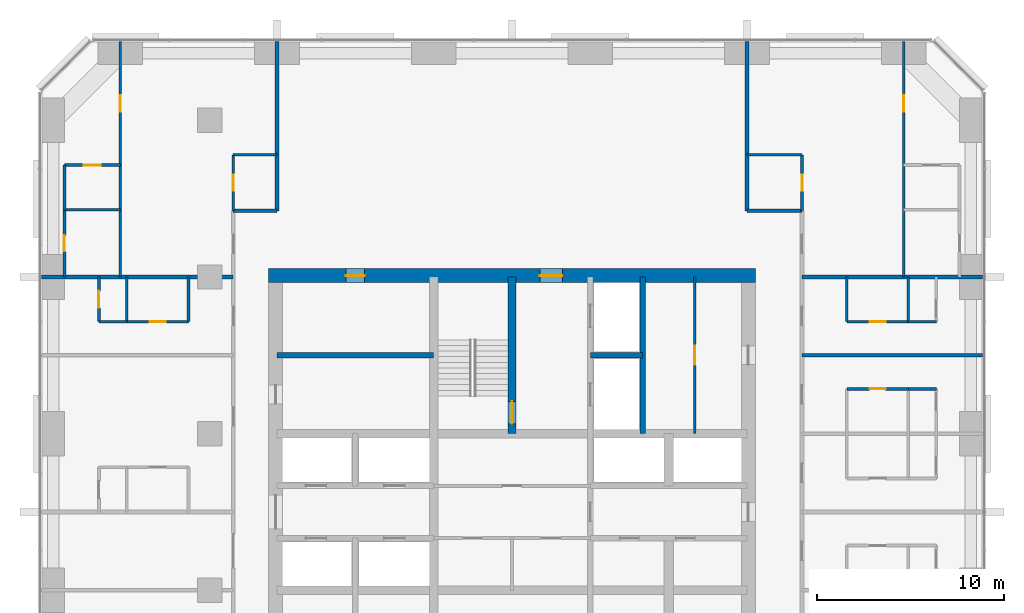
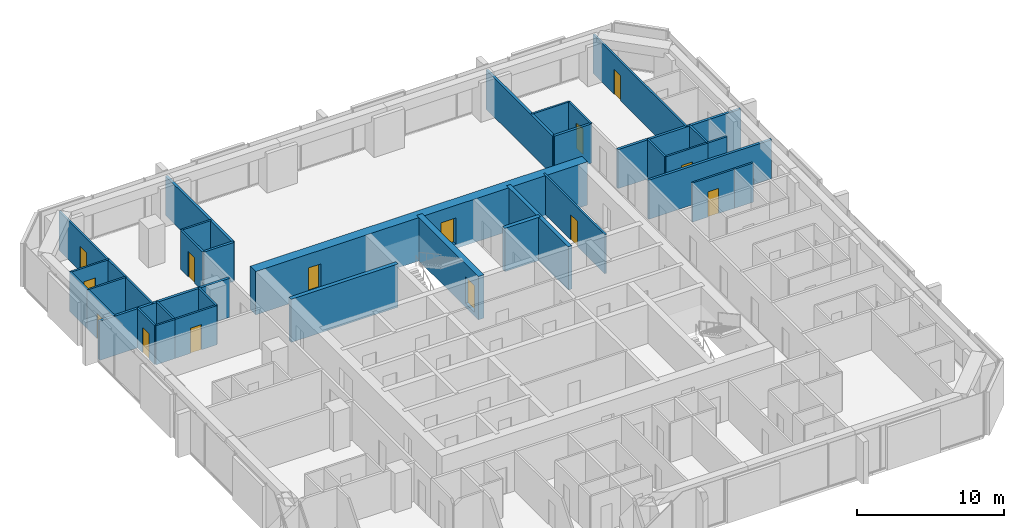
# One storey, part 12 of 14: 34 walls, 14 doors, 14 openings.
"""IFC4 building model written with IfcOpenShell, lengths in metres."""

import ifcopenshell
import ifcopenshell.guid

model = None  # the IFC model being written
_history = None  # IfcOwnerHistory: only IFC2X3 demands one
_inside = {}  # id of a spatial element -> (the spatial element, [elements in it])
_under = {}  # id of a project, library or spatial element -> (it, [spatial elements below it])
_declared = {}  # id of a project -> (the project, [libraries it declares])
_typed = {}  # id of a type object -> (the type object, [elements of that type])
_made_of = {}  # id of a material, layer set ... -> (it, [elements and type objects made of it])


def new_model(schema):
    """Start an empty IFC model of exactly this schema.

    Asked for "IFC4X3", IfcOpenShell would pick the latest addendum, in which some entities
    have other attributes; the version numbers below select the first issue.
    IFC2X3 requires an IfcOwnerHistory on every rooted entity: one is made here for all.
    """
    global model, _history
    if schema == "IFC4X3":
        model = ifcopenshell.file(schema_version=(4, 3, 0, 0))
    else:
        model = ifcopenshell.file(schema=schema)
    _inside.clear()
    _under.clear()
    _declared.clear()
    _typed.clear()
    _made_of.clear()
    _history = None
    if model.schema == "IFC2X3":
        org = make("IfcOrganization", Name="unknown")
        user = make(
            "IfcPersonAndOrganization",
            ThePerson=make("IfcPerson", FamilyName="unknown"),
            TheOrganization=org,
        )
        app = make(
            "IfcApplication",
            ApplicationDeveloper=org,
            Version="unknown",
            ApplicationFullName="unknown",
            ApplicationIdentifier="unknown",
        )
        _history = make(
            "IfcOwnerHistory",
            OwningUser=user,
            OwningApplication=app,
            ChangeAction="ADDED",
            CreationDate=0,
        )
    return model


def make(cls, **values):
    """One entity of the class cls with the attributes given. An attribute that is None is left unset."""
    return model.create_entity(
        cls, **{name: value for name, value in values.items() if value is not None}
    )


def rooted(cls, **values):
    """An entity with a GlobalId (a new one), such as an element, a storey or a relation."""
    return make(cls, GlobalId=ifcopenshell.guid.new(), OwnerHistory=_history, **values)


def si_unit(unit_type, name, prefix=None):
    """IfcSIUnit, for example si_unit("LENGTHUNIT", "METRE", prefix="MILLI")."""
    return make("IfcSIUnit", UnitType=unit_type, Prefix=prefix, Name=name)


def assignment(units):
    """IfcUnitAssignment: the units of a project."""
    return None if units is None else make("IfcUnitAssignment", Units=units)


def point(xyz):
    """IfcCartesianPoint."""
    return None if xyz is None else make("IfcCartesianPoint", Coordinates=xyz)


def direction(xyz):
    """IfcDirection."""
    return None if xyz is None else make("IfcDirection", DirectionRatios=xyz)


def frame(location, z_axis=None, x_axis=None):
    """IfcAxis2Placement3D, a coordinate frame: its origin and axes. An axis left out is left unset."""
    return make(
        "IfcAxis2Placement3D",
        Location=point(location),
        Axis=direction(z_axis),
        RefDirection=direction(x_axis),
    )


def frame_2d(location, x_axis=None):
    """IfcAxis2Placement2D, a coordinate frame in the plane: its origin and x axis."""
    return make(
        "IfcAxis2Placement2D", Location=point(location), RefDirection=direction(x_axis)
    )


def origin():
    """The frame at (0, 0, 0) with its axes left unset."""
    return frame((0.0, 0.0, 0.0))


def place(relative_to, where):
    """IfcLocalPlacement: puts the frame where relative to a parent placement (None: the world)."""
    return make(
        "IfcLocalPlacement", PlacementRelTo=relative_to, RelativePlacement=where
    )


def context(
    kind, dimensions, precision=None, world=None, true_north=None, identifier=None
):
    """IfcGeometricRepresentationContext, for example the 3D "Model" context."""
    return make(
        "IfcGeometricRepresentationContext",
        ContextIdentifier=identifier,
        ContextType=kind,
        CoordinateSpaceDimension=dimensions,
        Precision=precision,
        WorldCoordinateSystem=world,
        TrueNorth=true_north,
    )


def subcontext(parent, identifier, kind, view, scale=None):
    """IfcGeometricRepresentationSubContext, for example "Body" below "Model"."""
    return make(
        "IfcGeometricRepresentationSubContext",
        ContextIdentifier=identifier,
        ContextType=kind,
        ParentContext=parent,
        TargetScale=scale,
        TargetView=view,
    )


def project(units=None, contexts=None):
    """IfcProject with its units and contexts."""
    return rooted(
        "IfcProject",
        Name="project",
        RepresentationContexts=contexts,
        UnitsInContext=assignment(units),
    )


def spatial(cls, under=None, at=None, **own):
    """A site, building, storey or space (cls), placed at a placement, below another one or the project."""
    s = rooted(cls, ObjectPlacement=at, **own)
    if under is not None:
        _under.setdefault(under.id(), (under, []))[1].append(s)
    return s


def profile(cls, at=None, kind="AREA", **sizes):
    """A parametric profile (cls). Its sizes go by their IFC names, for example OverallWidth=200.0."""
    return make(cls, ProfileType=kind, Position=at, **sizes)


def rectangle(**sizes):
    """IfcRectangleProfileDef."""
    return profile("IfcRectangleProfileDef", **sizes)


def extrude(swept, where, along, depth):
    """IfcExtrudedAreaSolid: the profile swept, set in the frame where, extruded along a direction by depth."""
    return make(
        "IfcExtrudedAreaSolid",
        SweptArea=swept,
        Position=where,
        ExtrudedDirection=direction(along),
        Depth=depth,
    )


def shape(context_of_items, identifier, shape_type, items):
    """IfcShapeRepresentation: the items that make up one representation, for example the "Body"."""
    return make(
        "IfcShapeRepresentation",
        ContextOfItems=context_of_items,
        RepresentationIdentifier=identifier,
        RepresentationType=shape_type,
        Items=items,
    )


def material(Name=None, Category=None):
    """IfcMaterial."""
    return make("IfcMaterial", Name=Name, Category=Category)


def layer(
    of_material, thickness, ventilated=None, Name=None, Category=None, Priority=None
):
    """IfcMaterialLayer: one layer of a wall or slab, of a material (None: an air gap)."""
    return make(
        "IfcMaterialLayer",
        Material=of_material,
        LayerThickness=thickness,
        IsVentilated=ventilated,
        Name=Name,
        Category=Category,
        Priority=Priority,
    )


def layer_set(layers, Name=None):
    """IfcMaterialLayerSet."""
    return make("IfcMaterialLayerSet", MaterialLayers=layers, LayerSetName=Name)


def made_of(thing, what):
    """Note that an element or type object is made of a material, layer set ...; save() writes the relation."""
    if what is not None:
        _made_of.setdefault(what.id(), (what, []))[1].append(thing)
    return thing


def type_object(cls, material=None, **own):
    """A type object (cls), such as IfcWallType, which elements share."""
    return made_of(rooted(cls, **own), material)


def element(
    cls,
    number,
    at=None,
    inside=None,
    cuts=None,
    type_object=None,
    material=None,
    context=None,
    identifier="Body",
    shape_type=None,
    held_by="IfcProductDefinitionShape",
    body=None,
    shapes=None,
    **own,
):
    """One element of the class cls, such as IfcWall. Its Tag is "e" and its number.

    at: its placement. inside: the storey or other place that contains it. cuts: it is an
    opening in that element (IfcRelVoidsElement). A single representation is given by context,
    identifier, shape_type and body (its items); several are given by shapes. held_by: the class
    of the entity that holds the representations. save() writes the other relations.
    """
    e = rooted(cls, Tag="e%d" % number, ObjectPlacement=at, **own)
    if body is not None:
        shapes = [shape(context, identifier, shape_type, body)]
    if shapes is not None:
        e.Representation = make(held_by, Representations=shapes)
    if inside is not None:
        _inside.setdefault(inside.id(), (inside, []))[1].append(e)
    if cuts is not None:
        rooted(
            "IfcRelVoidsElement", RelatingBuildingElement=cuts, RelatedOpeningElement=e
        )
    if type_object is not None:
        _typed.setdefault(type_object.id(), (type_object, []))[1].append(e)
    return made_of(e, material)


def fill(opening, filler):
    """IfcRelFillsElement: the door or window that sits in an opening."""
    return rooted(
        "IfcRelFillsElement",
        RelatingOpeningElement=opening,
        RelatedBuildingElement=filler,
    )


def aggregate(whole, parts):
    """IfcRelAggregates: a whole, such as a stair, and the parts it consists of."""
    return rooted("IfcRelAggregates", RelatingObject=whole, RelatedObjects=parts)


def save(model, path):
    """Write the relations noted so far, then the file.

    IfcRelAggregates (storeys below a building ...), IfcRelContainedInSpatialStructure (elements
    in a storey), IfcRelDefinesByType, IfcRelAssociatesMaterial and IfcRelDeclares: one each for
    every whole, place, type object, material and project.
    """
    for whole, parts in _under.values():
        aggregate(whole, parts)
    for where, things in _inside.values():
        rooted(
            "IfcRelContainedInSpatialStructure",
            RelatedElements=things,
            RelatingStructure=where,
        )
    for kind, things in _typed.values():
        rooted("IfcRelDefinesByType", RelatedObjects=things, RelatingType=kind)
    for what, things in _made_of.values():
        rooted("IfcRelAssociatesMaterial", RelatedObjects=things, RelatingMaterial=what)
    for by, libraries in _declared.values():
        rooted("IfcRelDeclares", RelatingContext=by, RelatedDefinitions=libraries)
    model.write(path)


model = new_model("IFC4")

# Units and contexts
model_context = context("Model", 3, precision=1e-05, world=origin(), true_north=direction((0.0, 1.0)))
body_context = subcontext(model_context, "Body", "Model", "MODEL_VIEW")
ifc_project = project(units=[si_unit("LENGTHUNIT", "METRE"), si_unit("AREAUNIT", "SQUARE_METRE"), si_unit("VOLUMEUNIT", "CUBIC_METRE"), si_unit("PLANEANGLEUNIT", "RADIAN"), si_unit("MASSUNIT", "GRAM", prefix="KILO")], contexts=[model_context])

# Site, building, storey
site_placement = place(None, origin())
site = spatial("IfcSite", under=ifc_project, at=site_placement, CompositionType="ELEMENT")
building_placement = place(site_placement, origin())
building = spatial("IfcBuilding", under=site, at=building_placement, Name="Dunama Terrace Hotel", CompositionType="ELEMENT")
storey_placement = place(building_placement, frame((0.0, 0.0, 177.0)))
storey = spatial("IfcBuildingStorey", under=building, at=storey_placement, Name="L45", CompositionType="ELEMENT", Elevation=177.0)

# Wall, opening, door
ifc_material_1 = material(Name="Gypsum board partition", Category="masonry")
ifc_layer_1 = layer(ifc_material_1, 0.14990234375)
ifc_layer_set_1 = layer_set([ifc_layer_1], Name="Bathroom partition 150")
wall_type_1 = type_object("IfcWallType", Name="Bathroom partition 150", PredefinedType="PARTITIONING", material=ifc_layer_set_1)
wall_1_placement = place(storey_placement, frame((5.39990234375, 42.0, 0.0), z_axis=(0.0, 0.0, 1.0), x_axis=(0.0, 1.0, 0.0)))
wall_1 = element("IfcWall", 1, at=wall_1_placement, inside=storey, type_object=wall_type_1, Name="Bathroom partition 150 L45", PredefinedType="PARTITIONING", context=body_context, shape_type="SweptSolid", body=[
    extrude(rectangle(XDim=3.60009765625, YDim=0.14990234375, at=frame_2d((1.800048828125, 0.0))), origin(), (0.0, 0.0, 1.0), 3.25),
])
opening_1_placement = place(wall_1_placement, frame((1.375, 0.0, 0.0)))
opening_1 = element("IfcOpeningElement", 2, at=opening_1_placement, cuts=wall_1, Name="Opening L45-070", PredefinedType="OPENING", context=body_context, shape_type="SweptSolid", body=[
    extrude(rectangle(XDim=0.85009765625, YDim=2.10009765625, at=frame_2d((0.425048828125, 1.050048828125))), frame((0.0, 0.0849609375, 0.0), z_axis=(0.0, -1.0, 0.0), x_axis=(1.0, 0.0, 0.0)), (0.0, 0.0, 1.0), 0.169921875),
])
ifc_material_2 = material(Name="Timber door with steel frame", Category="steel")
door_type_1 = type_object("IfcDoorType", Name="Bathroom door 850", OperationType="SINGLE_SWING_LEFT", PredefinedType="DOOR", material=ifc_material_2)
door_1_placement = place(opening_1_placement, frame((0.85009765625, 0.0, 0.0), z_axis=(0.0, 0.0, 1.0), x_axis=(-1.0, 0.0, 0.0)))
door_1 = element("IfcDoor", 3, at=door_1_placement, inside=storey, type_object=door_type_1, Name="Door to en-suite bathroom L45-070, type D2", OperationType="SINGLE_SWING_RIGHT", OverallHeight=2.10009765625, OverallWidth=0.85009765625, PredefinedType="DOOR", context=body_context, shape_type="SweptSolid", body=[
    extrude(rectangle(XDim=0.85009765625, YDim=2.10009765625, at=frame_2d((0.425048828125, 1.050048828125))), frame((0.0, 0.025146484375, 0.0), z_axis=(0.0, -1.0, 0.0), x_axis=(1.0, 0.0, 0.0)), (0.0, 0.0, 1.0), 0.050048828125),
])
fill(opening_1, door_1)

# Wall
wall_2_placement = place(storey_placement, frame((12.050048828125, 39.60009765625, 0.0), z_axis=(0.0, 0.0, 1.0), x_axis=(0.0, 1.0, 0.0)))
element("IfcWall", 4, at=wall_2_placement, inside=storey, type_object=wall_type_1, Name="Bathroom partition 150 L45", PredefinedType="PARTITIONING", context=body_context, shape_type="SweptSolid", body=[
    extrude(rectangle(XDim=2.39990234375, YDim=0.14990234375, at=frame_2d((1.199951171875, 0.0))), origin(), (0.0, 0.0, 1.0), 3.25),
])

# Wall, opening, door
wall_3_placement = place(storey_placement, frame((14.449951171875, 45.550048828125, 0.0), z_axis=(0.0, 0.0, 1.0), x_axis=(0.0, 1.0, 0.0)))
wall_3 = element("IfcWall", 5, at=wall_3_placement, inside=storey, type_object=wall_type_1, Name="Bathroom partition 150 L45", PredefinedType="PARTITIONING", context=body_context, shape_type="SweptSolid", body=[
    extrude(rectangle(XDim=3.0, YDim=0.14990234375, at=frame_2d((1.5, 0.0))), origin(), (0.0, 0.0, 1.0), 3.25),
])
opening_2_placement = place(wall_3_placement, frame((1.074951171875, 0.0, 0.0)))
opening_2 = element("IfcOpeningElement", 6, at=opening_2_placement, cuts=wall_3, Name="Opening L45-068", PredefinedType="OPENING", context=body_context, shape_type="SweptSolid", body=[
    extrude(rectangle(XDim=0.85009765625, YDim=2.10009765625, at=frame_2d((0.425048828125, 1.050048828125))), frame((0.0, 0.0849609375, 0.0), z_axis=(0.0, -1.0, 0.0), x_axis=(1.0, 0.0, 0.0)), (0.0, 0.0, 1.0), 0.169921875),
])
door_2_placement = place(opening_2_placement, frame((0.85009765625, 0.0, 0.0), z_axis=(0.0, 0.0, 1.0), x_axis=(-1.0, 0.0, 0.0)))
door_2 = element("IfcDoor", 7, at=door_2_placement, inside=storey, type_object=door_type_1, Name="Door to powder room L45-068, type D2", OperationType="SINGLE_SWING_RIGHT", OverallHeight=2.10009765625, OverallWidth=0.85009765625, PredefinedType="DOOR", context=body_context, shape_type="SweptSolid", body=[
    extrude(rectangle(XDim=0.85009765625, YDim=2.10009765625, at=frame_2d((0.425048828125, 1.050048828125))), frame((0.0, 0.025146484375, 0.0), z_axis=(0.0, -1.0, 0.0), x_axis=(1.0, 0.0, 0.0)), (0.0, 0.0, 1.0), 0.050048828125),
])
fill(opening_2, door_2)

wall_4_placement = place(storey_placement, frame((44.949951171875, 45.550048828125, 0.0), z_axis=(0.0, 0.0, 1.0), x_axis=(0.0, 1.0, 0.0)))
wall_4 = element("IfcWall", 8, at=wall_4_placement, inside=storey, type_object=wall_type_1, Name="Bathroom partition 150 L45", PredefinedType="PARTITIONING", context=body_context, shape_type="SweptSolid", body=[
    extrude(rectangle(XDim=3.0, YDim=0.14990234375, at=frame_2d((1.5, 0.0))), origin(), (0.0, 0.0, 1.0), 3.25),
])
opening_3_placement = place(wall_4_placement, frame((1.074951171875, 0.0, 0.0)))
opening_3 = element("IfcOpeningElement", 9, at=opening_3_placement, cuts=wall_4, Name="Opening L45-063", PredefinedType="OPENING", context=body_context, shape_type="SweptSolid", body=[
    extrude(rectangle(XDim=0.85009765625, YDim=2.10009765625, at=frame_2d((0.425048828125, 1.050048828125))), frame((0.0, 0.0849609375, 0.0), z_axis=(0.0, -1.0, 0.0), x_axis=(1.0, 0.0, 0.0)), (0.0, 0.0, 1.0), 0.169921875),
])
door_3_placement = place(opening_3_placement, origin())
door_3 = element("IfcDoor", 10, at=door_3_placement, inside=storey, type_object=door_type_1, Name="Door to powder room L45-063, type D2", OperationType="SINGLE_SWING_LEFT", OverallHeight=2.10009765625, OverallWidth=0.85009765625, PredefinedType="DOOR", context=body_context, shape_type="SweptSolid", body=[
    extrude(rectangle(XDim=0.85009765625, YDim=2.10009765625, at=frame_2d((0.425048828125, 1.050048828125))), frame((0.0, 0.02490234375, 0.0), z_axis=(0.0, -1.0, 0.0), x_axis=(1.0, 0.0, 0.0)), (0.0, 0.0, 1.0), 0.050048828125),
])
fill(opening_3, door_3)

# Wall
wall_5_placement = place(storey_placement, frame((47.35009765625, 39.60009765625, 0.0), z_axis=(0.0, 0.0, 1.0), x_axis=(0.0, 1.0, 0.0)))
element("IfcWall", 11, at=wall_5_placement, inside=storey, type_object=wall_type_1, Name="Bathroom partition 150 L45", PredefinedType="PARTITIONING", context=body_context, shape_type="SweptSolid", body=[
    extrude(rectangle(XDim=2.39990234375, YDim=0.14990234375, at=frame_2d((1.199951171875, 0.0))), origin(), (0.0, 0.0, 1.0), 3.25),
])

# Wall, opening, door
wall_6_placement = place(storey_placement, frame((47.35009765625, 36.0, 0.0), z_axis=(0.0, 0.0, 1.0), x_axis=(1.0, 0.0, 0.0)))
wall_6 = element("IfcWall", 12, at=wall_6_placement, inside=storey, type_object=wall_type_1, Name="Bathroom partition 150 L45", PredefinedType="PARTITIONING", context=body_context, shape_type="SweptSolid", body=[
    extrude(rectangle(XDim=3.2998046875, YDim=0.14990234375, at=frame_2d((1.64990234375, 0.0))), origin(), (0.0, 0.0, 1.0), 3.25),
])
opening_4_placement = place(wall_6_placement, frame((1.22509765625, 0.0, 0.0)))
opening_4 = element("IfcOpeningElement", 13, at=opening_4_placement, cuts=wall_6, Name="Opening L45-037", PredefinedType="OPENING", context=body_context, shape_type="SweptSolid", body=[
    extrude(rectangle(XDim=0.85009765625, YDim=2.10009765625, at=frame_2d((0.425048828125, 1.050048828125))), frame((0.0, 0.0849609375, 0.0), z_axis=(0.0, -1.0, 0.0), x_axis=(1.0, 0.0, 0.0)), (0.0, 0.0, 1.0), 0.169921875),
])
door_4_placement = place(opening_4_placement, frame((0.85009765625, 0.0, 0.0), z_axis=(0.0, 0.0, 1.0), x_axis=(-1.0, 0.0, 0.0)))
door_4 = element("IfcDoor", 14, at=door_4_placement, inside=storey, type_object=door_type_1, Name="Door to en-suite bathroom L45-037, type D2", OperationType="SINGLE_SWING_LEFT", OverallHeight=2.10009765625, OverallWidth=0.85009765625, PredefinedType="DOOR", context=body_context, shape_type="SweptSolid", body=[
    extrude(rectangle(XDim=0.85009765625, YDim=2.10009765625, at=frame_2d((0.425048828125, 1.050048828125))), frame((0.0, 0.025146484375, 0.0), z_axis=(0.0, -1.0, 0.0), x_axis=(1.0, 0.0, 0.0)), (0.0, 0.0, 1.0), 0.050048828125),
])
fill(opening_4, door_4)

wall_7_placement = place(storey_placement, frame((8.75, 39.60009765625, 0.0), z_axis=(0.0, 0.0, 1.0), x_axis=(1.0, 0.0, 0.0)))
wall_7 = element("IfcWall", 15, at=wall_7_placement, inside=storey, type_object=wall_type_1, Name="Bathroom partition 150 L45", PredefinedType="PARTITIONING", context=body_context, shape_type="SweptSolid", body=[
    extrude(rectangle(XDim=3.300048828125, YDim=0.14990234375, at=frame_2d((1.64990234375, 0.0))), origin(), (0.0, 0.0, 1.0), 3.25),
])
opening_5_placement = place(wall_7_placement, frame((1.22509765625, 0.0, 0.0)))
opening_5 = element("IfcOpeningElement", 16, at=opening_5_placement, cuts=wall_7, Name="Opening L45-050", PredefinedType="OPENING", context=body_context, shape_type="SweptSolid", body=[
    extrude(rectangle(XDim=0.85009765625, YDim=2.10009765625, at=frame_2d((0.425048828125, 1.050048828125))), frame((0.0, 0.0849609375, 0.0), z_axis=(0.0, -1.0, 0.0), x_axis=(1.0, 0.0, 0.0)), (0.0, 0.0, 1.0), 0.169921875),
])
door_5_placement = place(opening_5_placement, origin())
door_5 = element("IfcDoor", 17, at=door_5_placement, inside=storey, type_object=door_type_1, Name="Door to en-suite bathroom L45-050, type D2", OperationType="SINGLE_SWING_LEFT", OverallHeight=2.10009765625, OverallWidth=0.85009765625, PredefinedType="DOOR", context=body_context, shape_type="SweptSolid", body=[
    extrude(rectangle(XDim=0.85009765625, YDim=2.10009765625, at=frame_2d((0.425048828125, 1.050048828125))), frame((0.0, 0.02490234375, 0.0), z_axis=(0.0, -1.0, 0.0), x_axis=(1.0, 0.0, 0.0)), (0.0, 0.0, 1.0), 0.050048828125),
])
fill(opening_5, door_5)

wall_8_placement = place(storey_placement, frame((47.35009765625, 39.60009765625, 0.0), z_axis=(0.0, 0.0, 1.0), x_axis=(1.0, 0.0, 0.0)))
wall_8 = element("IfcWall", 18, at=wall_8_placement, inside=storey, type_object=wall_type_1, Name="Bathroom partition 150 L45", PredefinedType="PARTITIONING", context=body_context, shape_type="SweptSolid", body=[
    extrude(rectangle(XDim=3.2998046875, YDim=0.14990234375, at=frame_2d((1.64990234375, 0.0))), origin(), (0.0, 0.0, 1.0), 3.25),
])
opening_6_placement = place(wall_8_placement, frame((1.22509765625, 0.0, 0.0)))
opening_6 = element("IfcOpeningElement", 19, at=opening_6_placement, cuts=wall_8, Name="Opening L45-040", PredefinedType="OPENING", context=body_context, shape_type="SweptSolid", body=[
    extrude(rectangle(XDim=0.85009765625, YDim=2.10009765625, at=frame_2d((0.425048828125, 1.050048828125))), frame((0.0, 0.0849609375, 0.0), z_axis=(0.0, -1.0, 0.0), x_axis=(1.0, 0.0, 0.0)), (0.0, 0.0, 1.0), 0.169921875),
])
door_6_placement = place(opening_6_placement, origin())
door_6 = element("IfcDoor", 20, at=door_6_placement, inside=storey, type_object=door_type_1, Name="Door to en-suite bathroom L45-040, type D2", OperationType="SINGLE_SWING_RIGHT", OverallHeight=2.10009765625, OverallWidth=0.85009765625, PredefinedType="DOOR", context=body_context, shape_type="SweptSolid", body=[
    extrude(rectangle(XDim=0.85009765625, YDim=2.10009765625, at=frame_2d((0.425048828125, 1.050048828125))), frame((0.0, 0.02490234375, 0.0), z_axis=(0.0, -1.0, 0.0), x_axis=(1.0, 0.0, 0.0)), (0.0, 0.0, 1.0), 0.050048828125),
])
fill(opening_6, door_6)

# Walls
wall_9_placement = place(storey_placement, frame((14.449951171875, 48.550048828125, 0.0), z_axis=(0.0, 0.0, 1.0), x_axis=(1.0, 0.0, 0.0)))
element("IfcWall", 21, at=wall_9_placement, inside=storey, type_object=wall_type_1, Name="Bathroom partition 150 L45", PredefinedType="PARTITIONING", context=body_context, shape_type="SweptSolid", body=[
    extrude(rectangle(XDim=2.35009765625, YDim=0.14990234375, at=frame_2d((1.175048828125, 0.0))), origin(), (0.0, 0.0, 1.0), 3.25),
])
wall_10_placement = place(storey_placement, frame((42.0, 48.550048828125, 0.0), z_axis=(0.0, 0.0, 1.0), x_axis=(1.0, 0.0, 0.0)))
element("IfcWall", 22, at=wall_10_placement, inside=storey, type_object=wall_type_1, Name="Bathroom partition 150 L45", PredefinedType="PARTITIONING", context=body_context, shape_type="SweptSolid", body=[
    extrude(rectangle(XDim=2.949951171875, YDim=0.14990234375, at=frame_2d((1.47509765625, 0.0))), origin(), (0.0, 0.0, 1.0), 3.25),
])
ifc_material_3 = material(Name="Concrete C50/60", Category="concrete")
ifc_layer_2 = layer(ifc_material_3, 0.300048828125)
ifc_layer_set_2 = layer_set([ifc_layer_2], Name="Core inner wall 300")
wall_type_2 = type_object("IfcWallType", Name="Core inner wall 300", PredefinedType="SHEAR", material=ifc_layer_set_2)
for number, where, z_axis, x_axis, name in (
    (23, (36.39990234375, 33.60009765625, -0.35009765625), (0.0, 0.0, 1.0), (0.0, 1.0, 0.0), "Core inner wall 300 L45"),
    (24, (16.800048828125, 37.800048828125, -0.35009765625), (0.0, 0.0, 1.0), (1.0, 0.0, 0.0), "Core inner wall 300 L45"),
):
    element("IfcWall", number, at=place(storey_placement, frame(where, z_axis=z_axis, x_axis=x_axis)), inside=storey, type_object=wall_type_2, Name=name, PredefinedType="SHEAR", context=body_context, shape_type="SweptSolid", body=[
        extrude(rectangle(XDim=8.39990234375, YDim=0.300048828125, at=frame_2d((4.199951171875, 0.0))), origin(), (0.0, 0.0, 1.0), 3.60009765625),
    ])
wall_11_placement = place(storey_placement, frame((33.60009765625, 37.800048828125, -0.35009765625), z_axis=(0.0, 0.0, 1.0), x_axis=(1.0, 0.0, 0.0)))
element("IfcWall", 25, at=wall_11_placement, inside=storey, type_object=wall_type_2, Name="Core inner wall 300 L45", PredefinedType="SHEAR", context=body_context, shape_type="SweptSolid", body=[
    extrude(rectangle(XDim=2.7998046875, YDim=0.300048828125, at=frame_2d((1.39990234375, 0.0))), origin(), (0.0, 0.0, 1.0), 3.60009765625),
])

# Wall, opening, door
ifc_material_4 = material(Name="Concrete C50/60", Category="concrete")
ifc_layer_3 = layer(ifc_material_4, 0.449951171875)
ifc_layer_set_3 = layer_set([ifc_layer_3], Name="Core inner wall 450")
wall_type_3 = type_object("IfcWallType", Name="Core inner wall 450", PredefinedType="SHEAR", material=ifc_layer_set_3)
wall_12_placement = place(storey_placement, frame((29.39990234375, 33.60009765625, -0.35009765625), z_axis=(0.0, 0.0, 1.0), x_axis=(0.0, 1.0, 0.0)))
wall_12 = element("IfcWall", 26, at=wall_12_placement, inside=storey, type_object=wall_type_3, Name="Core inner wall 450 L45", PredefinedType="SHEAR", context=body_context, shape_type="SweptSolid", body=[
    extrude(rectangle(XDim=8.39990234375, YDim=0.449951171875, at=frame_2d((4.199951171875, 0.0))), origin(), (0.0, 0.0, 1.0), 3.60009765625),
])
opening_7_placement = place(wall_12_placement, frame((0.52490234375, 0.0, 0.35009765625)))
opening_7 = element("IfcOpeningElement", 27, at=opening_7_placement, cuts=wall_12, Name="Opening L45-001", PredefinedType="OPENING", context=body_context, shape_type="SweptSolid", body=[
    extrude(rectangle(XDim=1.199951171875, YDim=2.199951171875, at=frame_2d((0.60009765625, 1.10009765625))), frame((0.0, 0.23486328125, 0.0), z_axis=(0.0, -1.0, 0.0), x_axis=(1.0, 0.0, 0.0)), (0.0, 0.0, 1.0), 0.469970703125),
])
ifc_material_5 = material(Name="Timber door with steel frame", Category="steel")
door_type_2 = type_object("IfcDoorType", Name="Stair door 1200", OperationType="SINGLE_SWING_LEFT", PredefinedType="DOOR", material=ifc_material_5)
door_7_placement = place(opening_7_placement, origin())
door_7 = element("IfcDoor", 28, at=door_7_placement, inside=storey, type_object=door_type_2, Name="Stair door ST1 L45-001, type D5", OperationType="SINGLE_SWING_LEFT", OverallHeight=2.199951171875, OverallWidth=1.199951171875, PredefinedType="DOOR", context=body_context, shape_type="SweptSolid", body=[
    extrude(rectangle(XDim=1.199951171875, YDim=2.199951171875, at=frame_2d((0.60009765625, 1.10009765625))), frame((0.0, 0.02490234375, 0.0), z_axis=(0.0, -1.0, 0.0), x_axis=(1.0, 0.0, 0.0)), (0.0, 0.0, 1.0), 0.050048828125),
])
fill(opening_7, door_7)

# Wall, openings, doors
ifc_material_6 = material(Name="Concrete C60/75", Category="concrete")
ifc_layer_4 = layer(ifc_material_6, 0.75)
ifc_layer_set_4 = layer_set([ifc_layer_4], Name="Core wall 750")
wall_type_4 = type_object("IfcWallType", Name="Core wall 750", PredefinedType="SHEAR", material=ifc_layer_set_4)
wall_13_placement = place(storey_placement, frame((42.449951171875, 42.074951171875, -0.35009765625), z_axis=(0.0, 0.0, 1.0), x_axis=(-1.0, 0.0, 0.0)))
wall_13 = element("IfcWall", 29, at=wall_13_placement, inside=storey, type_object=wall_type_4, Name="Core wall north L45", PredefinedType="SHEAR", context=body_context, shape_type="SweptSolid", body=[
    extrude(rectangle(XDim=26.099853515625, YDim=0.75, at=frame_2d((13.0498046875, 0.0))), origin(), (0.0, 0.0, 1.0), 3.60009765625),
])
opening_8_placement = place(wall_13_placement, frame((20.949951171875, 0.0, 0.35009765625)))
opening_8 = element("IfcOpeningElement", 30, at=opening_8_placement, cuts=wall_13, Name="Opening L45-079", PredefinedType="OPENING", context=body_context, shape_type="SweptSolid", body=[
    extrude(rectangle(XDim=1.0, YDim=2.10009765625, at=frame_2d((0.5, 1.050048828125))), frame((0.0, 0.385009765625, 0.0), z_axis=(0.0, -1.0, 0.0), x_axis=(1.0, 0.0, 0.0)), (0.0, 0.0, 1.0), 0.77001953125),
])
opening_9_placement = place(wall_13_placement, frame((10.35009765625, 0.0, 0.35009765625)))
opening_9 = element("IfcOpeningElement", 31, at=opening_9_placement, cuts=wall_13, Name="Opening L45-087", PredefinedType="OPENING", context=body_context, shape_type="SweptSolid", body=[
    extrude(rectangle(XDim=1.199951171875, YDim=2.199951171875, at=frame_2d((0.60009765625, 1.10009765625))), frame((0.0, 0.385009765625, 0.0), z_axis=(0.0, -1.0, 0.0), x_axis=(1.0, 0.0, 0.0)), (0.0, 0.0, 1.0), 0.77001953125),
])
ifc_material_7 = material(Name="Timber door with steel frame", Category="steel")
door_type_3 = type_object("IfcDoorType", Name="Firefighting lobby door 1200", OperationType="SINGLE_SWING_LEFT", PredefinedType="DOOR", material=ifc_material_7)
door_8_placement = place(opening_9_placement, origin())
door_8 = element("IfcDoor", 32, at=door_8_placement, inside=storey, type_object=door_type_3, Name="Door to firefighting lobby L45-087, type D4", OperationType="SINGLE_SWING_RIGHT", OverallHeight=2.199951171875, OverallWidth=1.199951171875, PredefinedType="DOOR", context=body_context, shape_type="SweptSolid", body=[
    extrude(rectangle(XDim=1.199951171875, YDim=2.199951171875, at=frame_2d((0.60009765625, 1.10009765625))), frame((0.0, 0.02490234375, 0.0), z_axis=(0.0, -1.0, 0.0), x_axis=(1.0, 0.0, 0.0)), (0.0, 0.0, 1.0), 0.050048828125),
])
fill(opening_9, door_8)
ifc_material_8 = material(Name="Timber door with steel frame", Category="steel")
door_type_4 = type_object("IfcDoorType", Name="Service door 1000", OperationType="SINGLE_SWING_LEFT", PredefinedType="DOOR", material=ifc_material_8)
door_9_placement = place(opening_8_placement, origin())
door_9 = element("IfcDoor", 33, at=door_9_placement, inside=storey, type_object=door_type_4, Name="Door to communications and riser room L45-079, type D7", OperationType="SINGLE_SWING_LEFT", OverallHeight=2.10009765625, OverallWidth=1.0, PredefinedType="DOOR", context=body_context, shape_type="SweptSolid", body=[
    extrude(rectangle(XDim=1.0, YDim=2.10009765625, at=frame_2d((0.5, 1.050048828125))), frame((0.0, 0.02490234375, 0.0), z_axis=(0.0, -1.0, 0.0), x_axis=(1.0, 0.0, 0.0)), (0.0, 0.0, 1.0), 0.050048828125),
])
fill(opening_8, door_9)

# Walls
ifc_material_9 = material(Name="Concrete blockwork", Category="masonry")
ifc_layer_5 = layer(ifc_material_9, 0.199951171875)
ifc_layer_set_5 = layer_set([ifc_layer_5], Name="Corridor partition 200")
wall_type_5 = type_object("IfcWallType", Name="Corridor partition 200", PredefinedType="PARTITIONING", material=ifc_layer_set_5)
wall_14_placement = place(storey_placement, frame((16.800048828125, 45.550048828125, 0.0), z_axis=(0.0, 0.0, 1.0), x_axis=(0.0, 1.0, 0.0)))
element("IfcWall", 34, at=wall_14_placement, inside=storey, type_object=wall_type_5, Name="Corridor partition 200 L45", PredefinedType="PARTITIONING", context=body_context, shape_type="SweptSolid", body=[
    extrude(rectangle(XDim=9.06787109375, YDim=0.199951171875, at=frame_2d((4.533935546875, 0.0))), origin(), (0.0, 0.0, 1.0), 3.25),
])
wall_15_placement = place(storey_placement, frame((14.449951171875, 45.550048828125, 0.0), z_axis=(0.0, 0.0, 1.0), x_axis=(1.0, 0.0, 0.0)))
element("IfcWall", 35, at=wall_15_placement, inside=storey, type_object=wall_type_5, Name="Corridor partition 200 L45", PredefinedType="PARTITIONING", context=body_context, shape_type="SweptSolid", body=[
    extrude(rectangle(XDim=2.35009765625, YDim=0.199951171875, at=frame_2d((1.175048828125, 0.0))), origin(), (0.0, 0.0, 1.0), 3.25),
])
wall_16_placement = place(storey_placement, frame((42.0, 45.550048828125, 0.0), z_axis=(0.0, 0.0, 1.0), x_axis=(1.0, 0.0, 0.0)))
element("IfcWall", 36, at=wall_16_placement, inside=storey, type_object=wall_type_5, Name="Corridor partition 200 L45", PredefinedType="PARTITIONING", context=body_context, shape_type="SweptSolid", body=[
    extrude(rectangle(XDim=2.949951171875, YDim=0.199951171875, at=frame_2d((1.47509765625, 0.0))), origin(), (0.0, 0.0, 1.0), 3.25),
])
wall_17_placement = place(storey_placement, frame((42.0, 54.617919921875, 0.0), z_axis=(0.0, 0.0, 1.0), x_axis=(0.0, -1.0, 0.0)))
element("IfcWall", 37, at=wall_17_placement, inside=storey, type_object=wall_type_5, Name="Corridor partition 200 L45", PredefinedType="PARTITIONING", context=body_context, shape_type="SweptSolid", body=[
    extrude(rectangle(XDim=9.06787109375, YDim=0.199951171875, at=frame_2d((4.533935546875, 0.0))), origin(), (0.0, 0.0, 1.0), 3.25),
])
ifc_material_10 = material(Name="Concrete blockwork", Category="masonry")
ifc_layer_6 = layer(ifc_material_10, 0.199951171875)
ifc_layer_set_6 = layer_set([ifc_layer_6], Name="Party wall 200")
wall_type_6 = type_object("IfcWallType", Name="Party wall 200", PredefinedType="PARTITIONING", material=ifc_layer_set_6)
wall_18_placement = place(storey_placement, frame((44.949951171875, 37.800048828125, 0.0), z_axis=(0.0, 0.0, 1.0), x_axis=(1.0, 0.0, 0.0)))
element("IfcWall", 38, at=wall_18_placement, inside=storey, type_object=wall_type_6, Name="Party wall 200 L45", PredefinedType="PARTITIONING", context=body_context, shape_type="SweptSolid", body=[
    extrude(rectangle(XDim=9.66796875, YDim=0.199951171875, at=frame_2d((4.833984375, 0.0))), origin(), (0.0, 0.0, 1.0), 3.25),
])
wall_19_placement = place(storey_placement, frame((4.181884765625, 42.0, 0.0), z_axis=(0.0, 0.0, 1.0), x_axis=(1.0, 0.0, 0.0)))
element("IfcWall", 39, at=wall_19_placement, inside=storey, type_object=wall_type_6, Name="Party wall 200 L45", PredefinedType="PARTITIONING", context=body_context, shape_type="SweptSolid", body=[
    extrude(rectangle(XDim=10.26806640625, YDim=0.199951171875, at=frame_2d((5.134033203125, 0.0))), origin(), (0.0, 0.0, 1.0), 3.25),
])
wall_20_placement = place(storey_placement, frame((44.949951171875, 42.0, 0.0), z_axis=(0.0, 0.0, 1.0), x_axis=(1.0, 0.0, 0.0)))
element("IfcWall", 40, at=wall_20_placement, inside=storey, type_object=wall_type_6, Name="Party wall 200 L45", PredefinedType="PARTITIONING", context=body_context, shape_type="SweptSolid", body=[
    extrude(rectangle(XDim=9.66796875, YDim=0.199951171875, at=frame_2d((4.833984375, 0.0))), origin(), (0.0, 0.0, 1.0), 3.25),
])
ifc_material_11 = material(Name="Gypsum board partition", Category="masonry")
ifc_layer_7 = layer(ifc_material_11, 0.14990234375)
ifc_layer_set_7 = layer_set([ifc_layer_7], Name="Room partition 150")
wall_type_7 = type_object("IfcWallType", Name="Room partition 150", PredefinedType="PARTITIONING", material=ifc_layer_set_7)
wall_21_placement = place(storey_placement, frame((5.39990234375, 45.60009765625, 0.0), z_axis=(0.0, 0.0, 1.0), x_axis=(0.0, 1.0, 0.0)))
element("IfcWall", 41, at=wall_21_placement, inside=storey, type_object=wall_type_7, Name="Room partition 150 L45", PredefinedType="PARTITIONING", context=body_context, shape_type="SweptSolid", body=[
    extrude(rectangle(XDim=2.39990234375, YDim=0.14990234375, at=frame_2d((1.199951171875, 0.0))), origin(), (0.0, 0.0, 1.0), 3.25),
])

# Wall, opening, door
wall_22_placement = place(storey_placement, frame((7.25, 39.60009765625, 0.0), z_axis=(0.0, 0.0, 1.0), x_axis=(0.0, 1.0, 0.0)))
wall_22 = element("IfcWall", 42, at=wall_22_placement, inside=storey, type_object=wall_type_7, Name="Room partition 150 L45", PredefinedType="PARTITIONING", context=body_context, shape_type="SweptSolid", body=[
    extrude(rectangle(XDim=2.39990234375, YDim=0.14990234375, at=frame_2d((1.199951171875, 0.0))), origin(), (0.0, 0.0, 1.0), 3.25),
])
opening_10_placement = place(wall_22_placement, frame((0.75, 0.0, 0.0)))
opening_10 = element("IfcOpeningElement", 43, at=opening_10_placement, cuts=wall_22, Name="Opening L45-051", PredefinedType="OPENING", context=body_context, shape_type="SweptSolid", body=[
    extrude(rectangle(XDim=0.89990234375, YDim=2.10009765625, at=frame_2d((0.449951171875, 1.050048828125))), frame((0.0, 0.0849609375, 0.0), z_axis=(0.0, -1.0, 0.0), x_axis=(1.0, 0.0, 0.0)), (0.0, 0.0, 1.0), 0.169921875),
])
ifc_material_12 = material(Name="Timber door with steel frame", Category="steel")
door_type_5 = type_object("IfcDoorType", Name="Suite internal door 900", OperationType="SINGLE_SWING_LEFT", PredefinedType="DOOR", material=ifc_material_12)
door_10_placement = place(opening_10_placement, frame((0.89990234375, 0.0, 0.0), z_axis=(0.0, 0.0, 1.0), x_axis=(-1.0, 0.0, 0.0)))
door_10 = element("IfcDoor", 44, at=door_10_placement, inside=storey, type_object=door_type_5, Name="Door to walk-in wardrobe L45-051, type D16", OperationType="SINGLE_SWING_RIGHT", OverallHeight=2.10009765625, OverallWidth=0.89990234375, PredefinedType="DOOR", context=body_context, shape_type="SweptSolid", body=[
    extrude(rectangle(XDim=0.89990234375, YDim=2.10009765625, at=frame_2d((0.449951171875, 1.050048828125))), frame((0.0, 0.025146484375, 0.0), z_axis=(0.0, -1.0, 0.0), x_axis=(1.0, 0.0, 0.0)), (0.0, 0.0, 1.0), 0.050048828125),
])
fill(opening_10, door_10)

wall_23_placement = place(storey_placement, frame((8.39990234375, 42.0, 0.0), z_axis=(0.0, 0.0, 1.0), x_axis=(0.0, 1.0, 0.0)))
wall_23 = element("IfcWall", 45, at=wall_23_placement, inside=storey, type_object=wall_type_7, Name="Room partition 150 L45", PredefinedType="PARTITIONING", context=body_context, shape_type="SweptSolid", body=[
    extrude(rectangle(XDim=12.617919921875, YDim=0.14990234375, at=frame_2d((6.30908203125, 0.0))), origin(), (0.0, 0.0, 1.0), 3.25),
])
opening_11_placement = place(wall_23_placement, frame((8.85009765625, 0.0, 0.0)))
opening_11 = element("IfcOpeningElement", 46, at=opening_11_placement, cuts=wall_23, Name="Opening L45-069", PredefinedType="OPENING", context=body_context, shape_type="SweptSolid", body=[
    extrude(rectangle(XDim=0.89990234375, YDim=2.10009765625, at=frame_2d((0.449951171875, 1.050048828125))), frame((0.0, 0.0849609375, 0.0), z_axis=(0.0, -1.0, 0.0), x_axis=(1.0, 0.0, 0.0)), (0.0, 0.0, 1.0), 0.169921875),
])
door_11_placement = place(opening_11_placement, origin())
door_11 = element("IfcDoor", 47, at=door_11_placement, inside=storey, type_object=door_type_5, Name="Door to corner suite bedroom L45-069, type D16", OperationType="SINGLE_SWING_RIGHT", OverallHeight=2.10009765625, OverallWidth=0.89990234375, PredefinedType="DOOR", context=body_context, shape_type="SweptSolid", body=[
    extrude(rectangle(XDim=0.89990234375, YDim=2.10009765625, at=frame_2d((0.449951171875, 1.050048828125))), frame((0.0, 0.02490234375, 0.0), z_axis=(0.0, -1.0, 0.0), x_axis=(1.0, 0.0, 0.0)), (0.0, 0.0, 1.0), 0.050048828125),
])
fill(opening_11, door_11)

# Wall
wall_24_placement = place(storey_placement, frame((8.75, 39.60009765625, 0.0), z_axis=(0.0, 0.0, 1.0), x_axis=(0.0, 1.0, 0.0)))
element("IfcWall", 48, at=wall_24_placement, inside=storey, type_object=wall_type_7, Name="Room partition 150 L45", PredefinedType="PARTITIONING", context=body_context, shape_type="SweptSolid", body=[
    extrude(rectangle(XDim=2.39990234375, YDim=0.14990234375, at=frame_2d((1.199951171875, 0.0))), origin(), (0.0, 0.0, 1.0), 3.25),
])

# Wall, opening, door
wall_25_placement = place(storey_placement, frame((39.199951171875, 33.60009765625, 0.0), z_axis=(0.0, 0.0, 1.0), x_axis=(0.0, 1.0, 0.0)))
wall_25 = element("IfcWall", 49, at=wall_25_placement, inside=storey, type_object=wall_type_7, Name="Room partition 150 L45", PredefinedType="PARTITIONING", context=body_context, shape_type="SweptSolid", body=[
    extrude(rectangle(XDim=8.39990234375, YDim=0.14990234375, at=frame_2d((4.199951171875, 0.0))), origin(), (0.0, 0.0, 1.0), 3.25),
])
opening_12_placement = place(wall_25_placement, frame((3.699951171875, 0.0, 0.0)))
opening_12 = element("IfcOpeningElement", 50, at=opening_12_placement, cuts=wall_25, Name="Opening L45-089", PredefinedType="OPENING", context=body_context, shape_type="SweptSolid", body=[
    extrude(rectangle(XDim=1.0, YDim=2.10009765625, at=frame_2d((0.5, 1.050048828125))), frame((0.0, 0.0849609375, 0.0), z_axis=(0.0, -1.0, 0.0), x_axis=(1.0, 0.0, 0.0)), (0.0, 0.0, 1.0), 0.169921875),
])
door_12_placement = place(opening_12_placement, origin())
door_12 = element("IfcDoor", 51, at=door_12_placement, inside=storey, type_object=door_type_4, Name="Door to luggage store L45-089, type D7", OperationType="SINGLE_SWING_LEFT", OverallHeight=2.10009765625, OverallWidth=1.0, PredefinedType="DOOR", context=body_context, shape_type="SweptSolid", body=[
    extrude(rectangle(XDim=1.0, YDim=2.10009765625, at=frame_2d((0.5, 1.050048828125))), frame((0.0, 0.02490234375, 0.0), z_axis=(0.0, -1.0, 0.0), x_axis=(1.0, 0.0, 0.0)), (0.0, 0.0, 1.0), 0.050048828125),
])
fill(opening_12, door_12)

wall_26_placement = place(storey_placement, frame((50.39990234375, 42.0, 0.0), z_axis=(0.0, 0.0, 1.0), x_axis=(0.0, 1.0, 0.0)))
wall_26 = element("IfcWall", 52, at=wall_26_placement, inside=storey, type_object=wall_type_7, Name="Room partition 150 L45", PredefinedType="PARTITIONING", context=body_context, shape_type="SweptSolid", body=[
    extrude(rectangle(XDim=12.617919921875, YDim=0.14990234375, at=frame_2d((6.30908203125, 0.0))), origin(), (0.0, 0.0, 1.0), 3.25),
])
opening_13_placement = place(wall_26_placement, frame((8.85009765625, 0.0, 0.0)))
opening_13 = element("IfcOpeningElement", 53, at=opening_13_placement, cuts=wall_26, Name="Opening L45-064", PredefinedType="OPENING", context=body_context, shape_type="SweptSolid", body=[
    extrude(rectangle(XDim=0.89990234375, YDim=2.10009765625, at=frame_2d((0.449951171875, 1.050048828125))), frame((0.0, 0.0849609375, 0.0), z_axis=(0.0, -1.0, 0.0), x_axis=(1.0, 0.0, 0.0)), (0.0, 0.0, 1.0), 0.169921875),
])
door_13_placement = place(opening_13_placement, frame((0.89990234375, 0.0, 0.0), z_axis=(0.0, 0.0, 1.0), x_axis=(-1.0, 0.0, 0.0)))
door_13 = element("IfcDoor", 54, at=door_13_placement, inside=storey, type_object=door_type_5, Name="Door to corner suite bedroom L45-064, type D16", OperationType="SINGLE_SWING_LEFT", OverallHeight=2.10009765625, OverallWidth=0.89990234375, PredefinedType="DOOR", context=body_context, shape_type="SweptSolid", body=[
    extrude(rectangle(XDim=0.89990234375, YDim=2.10009765625, at=frame_2d((0.449951171875, 1.050048828125))), frame((0.0, 0.025146484375, 0.0), z_axis=(0.0, -1.0, 0.0), x_axis=(1.0, 0.0, 0.0)), (0.0, 0.0, 1.0), 0.050048828125),
])
fill(opening_13, door_13)

# Walls
wall_27_placement = place(storey_placement, frame((50.64990234375, 39.60009765625, 0.0), z_axis=(0.0, 0.0, 1.0), x_axis=(0.0, 1.0, 0.0)))
element("IfcWall", 55, at=wall_27_placement, inside=storey, type_object=wall_type_7, Name="Room partition 150 L45", PredefinedType="PARTITIONING", context=body_context, shape_type="SweptSolid", body=[
    extrude(rectangle(XDim=2.39990234375, YDim=0.14990234375, at=frame_2d((1.199951171875, 0.0))), origin(), (0.0, 0.0, 1.0), 3.25),
])
for number, where, z_axis, x_axis, name in (
    (56, (50.64990234375, 36.0, 0.0), (0.0, 0.0, 1.0), (1.0, 0.0, 0.0), "Room partition 150 L45"),
    (57, (7.25, 39.60009765625, 0.0), (0.0, 0.0, 1.0), (1.0, 0.0, 0.0), "Room partition 150 L45"),
    (58, (50.64990234375, 39.60009765625, 0.0), (0.0, 0.0, 1.0), (1.0, 0.0, 0.0), "Room partition 150 L45"),
):
    element("IfcWall", number, at=place(storey_placement, frame(where, z_axis=z_axis, x_axis=x_axis)), inside=storey, type_object=wall_type_7, Name=name, PredefinedType="PARTITIONING", context=body_context, shape_type="SweptSolid", body=[
        extrude(rectangle(XDim=1.5, YDim=0.14990234375, at=frame_2d((0.75, 0.0))), origin(), (0.0, 0.0, 1.0), 3.25),
    ])
wall_28_placement = place(storey_placement, frame((5.39990234375, 45.60009765625, 0.0), z_axis=(0.0, 0.0, 1.0), x_axis=(1.0, 0.0, 0.0)))
element("IfcWall", 59, at=wall_28_placement, inside=storey, type_object=wall_type_7, Name="Room partition 150 L45", PredefinedType="PARTITIONING", context=body_context, shape_type="SweptSolid", body=[
    extrude(rectangle(XDim=3.0, YDim=0.14990234375, at=frame_2d((1.5, 0.0))), origin(), (0.0, 0.0, 1.0), 3.25),
])

# Wall, opening, door
wall_29_placement = place(storey_placement, frame((5.39990234375, 48.0, 0.0), z_axis=(0.0, 0.0, 1.0), x_axis=(1.0, 0.0, 0.0)))
wall_29 = element("IfcWall", 60, at=wall_29_placement, inside=storey, type_object=wall_type_7, Name="Room partition 150 L45", PredefinedType="PARTITIONING", context=body_context, shape_type="SweptSolid", body=[
    extrude(rectangle(XDim=3.0, YDim=0.14990234375, at=frame_2d((1.5, 0.0))), origin(), (0.0, 0.0, 1.0), 3.25),
])
opening_14_placement = place(wall_29_placement, frame((1.050048828125, 0.0, 0.0)))
opening_14 = element("IfcOpeningElement", 61, at=opening_14_placement, cuts=wall_29, Name="Opening L45-071", PredefinedType="OPENING", context=body_context, shape_type="SweptSolid", body=[
    extrude(rectangle(XDim=0.89990234375, YDim=2.10009765625, at=frame_2d((0.449951171875, 1.050048828125))), frame((0.0, 0.0849609375, 0.0), z_axis=(0.0, -1.0, 0.0), x_axis=(1.0, 0.0, 0.0)), (0.0, 0.0, 1.0), 0.169921875),
])
door_14_placement = place(opening_14_placement, frame((0.89990234375, 0.0, 0.0), z_axis=(0.0, 0.0, 1.0), x_axis=(-1.0, 0.0, 0.0)))
door_14 = element("IfcDoor", 62, at=door_14_placement, inside=storey, type_object=door_type_5, Name="Door to dressing room L45-071, type D16", OperationType="SINGLE_SWING_RIGHT", OverallHeight=2.10009765625, OverallWidth=0.89990234375, PredefinedType="DOOR", context=body_context, shape_type="SweptSolid", body=[
    extrude(rectangle(XDim=0.89990234375, YDim=2.10009765625, at=frame_2d((0.449951171875, 1.050048828125))), frame((0.0, 0.025146484375, 0.0), z_axis=(0.0, -1.0, 0.0), x_axis=(1.0, 0.0, 0.0)), (0.0, 0.0, 1.0), 0.050048828125),
])
fill(opening_14, door_14)

save(model, "model.ifc")
